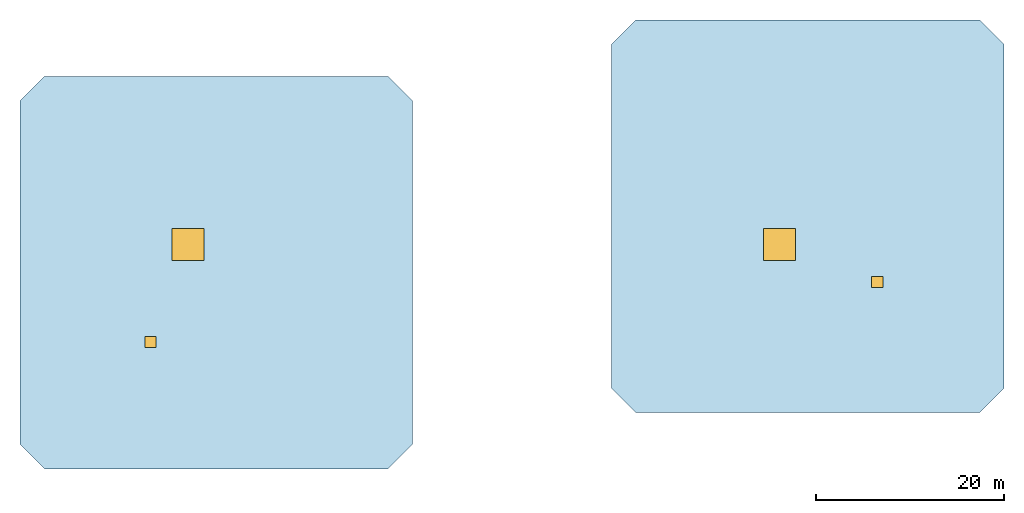
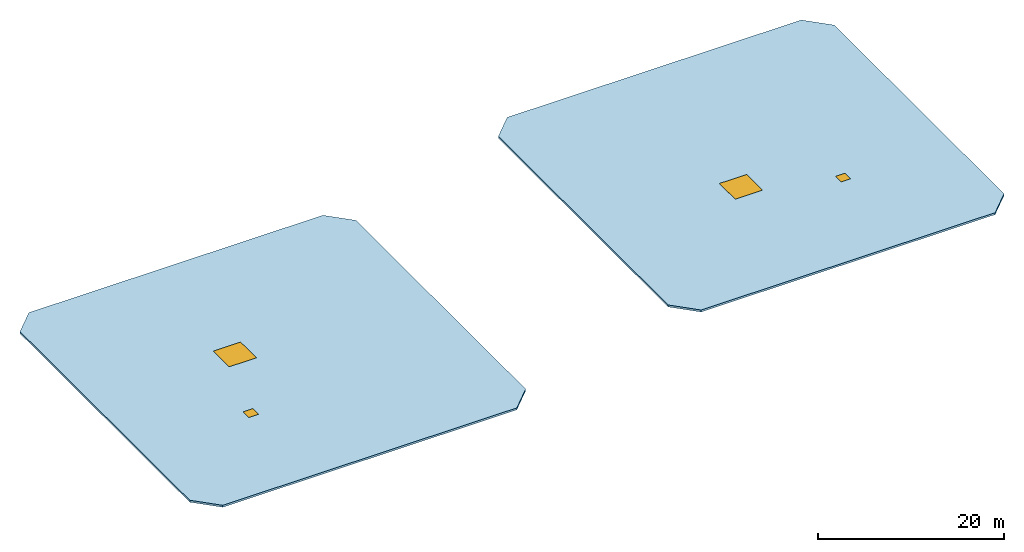
# One storey: 4 windows, 2 slabs, 4 openings.
"""IFC4 building model written with IfcOpenShell, lengths in metres."""

from ifc_helpers import new_model, si_unit, direction, frame, origin, origin_2d, place, context, subcontext, project, spatial, polyline, rectangle, outline, extrude, material, layer, layer_set, type_object, element, fill, save


model = new_model("IFC4")

# Units and contexts
model_context = context("Model", 3, precision=1e-05, world=origin(), true_north=direction((0.0, 1.0)))
body_context = subcontext(model_context, "Body", "Model", "MODEL_VIEW")
ifc_project = project(units=[si_unit("LENGTHUNIT", "METRE"), si_unit("AREAUNIT", "SQUARE_METRE"), si_unit("VOLUMEUNIT", "CUBIC_METRE"), si_unit("PLANEANGLEUNIT", "RADIAN"), si_unit("MASSUNIT", "GRAM", prefix="KILO")], contexts=[model_context])

# Site, building, storey
site_placement = place(None, origin())
site = spatial("IfcSite", under=ifc_project, at=site_placement, CompositionType="ELEMENT")
building_placement = place(site_placement, origin())
building = spatial("IfcBuilding", under=site, at=building_placement, Name="Thornwick Lancets Civic Towers", CompositionType="ELEMENT")
storey_placement = place(building_placement, frame((0.0, 0.0, 297.60009765625)))
storey = spatial("IfcBuildingStorey", under=building, at=storey_placement, Name="ROOF", CompositionType="ELEMENT", Elevation=297.60009765625)

# Slab, openings, windows
ifc_material_1 = material(Name="Concrete C40/50", Category="concrete")
ifc_layer = layer(ifc_material_1, 0.260009765625, Name="Concrete C40/50")
ifc_layer_set = layer_set([ifc_layer], Name="Concrete C40/50")
slab_type = type_object("IfcSlabType", Name="SLAB_ROOF_260", PredefinedType="ROOF", material=ifc_layer_set)
slab_1_placement = place(storey_placement, origin())
slab_1 = element("IfcSlab", 1, at=slab_1_placement, inside=storey, type_object=slab_type, Name="Tower A Closed Ring Crown Roof Slab", PredefinedType="ROOF", context=body_context, shape_type="SweptSolid", body=[
    extrude(outline(polyline([(10.199951171875, 3.10009765625), (46.800048828125, 3.10009765625), (49.39990234375, 5.699951171875), (49.39990234375, 42.300048828125), (46.800048828125, 44.89990234375), (10.199951171875, 44.89990234375), (7.60009765625, 42.300048828125), (7.60009765625, 5.699951171875), (10.199951171875, 3.10009765625)])), origin(), (0.0, 0.0, 1.0), 0.260009765625),
])
opening_1_placement = place(slab_1_placement, frame((25.5, 27.0, -0.010009765625)))
opening_1 = element("IfcOpeningElement", 2, at=opening_1_placement, cuts=slab_1, Name="Opening SK-01", PredefinedType="OPENING", context=body_context, shape_type="SweptSolid", body=[
    extrude(rectangle(XDim=3.39990234375, YDim=3.39990234375, at=origin_2d()), origin(), (0.0, 0.0, 1.0), 0.280029296875),
])
opening_2_placement = place(slab_1_placement, frame((21.5, 16.60009765625, -0.010009765625)))
opening_2 = element("IfcOpeningElement", 3, at=opening_2_placement, cuts=slab_1, Name="Opening RH-01", PredefinedType="OPENING", context=body_context, shape_type="SweptSolid", body=[
    extrude(rectangle(XDim=1.199951171875, YDim=1.199951171875, at=origin_2d()), origin(), (0.0, 0.0, 1.0), 0.280029296875),
])
ifc_material_2 = material(Name="Insulated aluminium and laminated glass roof access hatch", Category="aluminium")
window_type_1 = type_object("IfcWindowType", Name="WIN_ROOF_HATCH_1200", PartitioningType="SINGLE_PANEL", PredefinedType="SKYLIGHT", material=ifc_material_2)
window_1_placement = place(slab_1_placement, frame((21.5, 16.60009765625, 0.2099609375)))
window_1 = element("IfcWindow", 4, at=window_1_placement, inside=storey, type_object=window_type_1, Name="Tower A Maintenance Roof Access Hatch", OverallHeight=1.199951171875, OverallWidth=1.199951171875, PartitioningType="SINGLE_PANEL", PredefinedType="SKYLIGHT", context=body_context, shape_type="SweptSolid", body=[
    extrude(rectangle(XDim=1.199951171875, YDim=1.199951171875, at=origin_2d()), origin(), (0.0, 0.0, 1.0), 0.050048828125),
])
fill(opening_2, window_1)
ifc_material_3 = material(Name="Triple-glazed laminated atrium skylight glass", Category="glass")
window_type_2 = type_object("IfcWindowType", Name="WIN_SKYLIGHT_3400", PartitioningType="SINGLE_PANEL", PredefinedType="SKYLIGHT", material=ifc_material_3)
window_2_placement = place(slab_1_placement, frame((25.5, 27.0, 0.2099609375)))
window_2 = element("IfcWindow", 5, at=window_2_placement, inside=storey, type_object=window_type_2, Name="Tower A Central Atrium Skylight", OverallHeight=3.39990234375, OverallWidth=3.39990234375, PartitioningType="SINGLE_PANEL", PredefinedType="SKYLIGHT", context=body_context, shape_type="SweptSolid", body=[
    extrude(rectangle(XDim=3.39990234375, YDim=3.39990234375, at=origin_2d()), origin(), (0.0, 0.0, 1.0), 0.050048828125),
])
fill(opening_1, window_2)

slab_2_placement = place(storey_placement, origin())
slab_2 = element("IfcSlab", 6, at=slab_2_placement, inside=storey, type_object=slab_type, Name="Tower B Closed Ring Crown Roof Slab", PredefinedType="ROOF", context=body_context, shape_type="SweptSolid", body=[
    extrude(outline(polyline([(73.199951171875, 9.10009765625), (109.800048828125, 9.10009765625), (112.39990234375, 11.699951171875), (112.39990234375, 48.300048828125), (109.800048828125, 50.89990234375), (73.199951171875, 50.89990234375), (70.60009765625, 48.300048828125), (70.60009765625, 11.699951171875), (73.199951171875, 9.10009765625)])), origin(), (0.0, 0.0, 1.0), 0.260009765625),
])
opening_3_placement = place(slab_2_placement, frame((88.5, 27.0, -0.010009765625)))
opening_3 = element("IfcOpeningElement", 7, at=opening_3_placement, cuts=slab_2, Name="Opening SK-01", PredefinedType="OPENING", context=body_context, shape_type="SweptSolid", body=[
    extrude(rectangle(XDim=3.39990234375, YDim=3.39990234375, at=origin_2d()), origin(), (0.0, 0.0, 1.0), 0.280029296875),
])
opening_4_placement = place(slab_2_placement, frame((98.89990234375, 23.0, -0.010009765625)))
opening_4 = element("IfcOpeningElement", 8, at=opening_4_placement, cuts=slab_2, Name="Opening RH-01", PredefinedType="OPENING", context=body_context, shape_type="SweptSolid", body=[
    extrude(rectangle(XDim=1.199951171875, YDim=1.199951171875, at=origin_2d()), origin(), (0.0, 0.0, 1.0), 0.280029296875),
])
window_3_placement = place(slab_2_placement, frame((98.89990234375, 23.0, 0.2099609375)))
window_3 = element("IfcWindow", 9, at=window_3_placement, inside=storey, type_object=window_type_1, Name="Tower B Maintenance Roof Access Hatch", OverallHeight=1.199951171875, OverallWidth=1.199951171875, PartitioningType="SINGLE_PANEL", PredefinedType="SKYLIGHT", context=body_context, shape_type="SweptSolid", body=[
    extrude(rectangle(XDim=1.199951171875, YDim=1.199951171875, at=origin_2d()), origin(), (0.0, 0.0, 1.0), 0.050048828125),
])
fill(opening_4, window_3)
window_4_placement = place(slab_2_placement, frame((88.5, 27.0, 0.2099609375)))
window_4 = element("IfcWindow", 10, at=window_4_placement, inside=storey, type_object=window_type_2, Name="Tower B Central Atrium Skylight", OverallHeight=3.39990234375, OverallWidth=3.39990234375, PartitioningType="SINGLE_PANEL", PredefinedType="SKYLIGHT", context=body_context, shape_type="SweptSolid", body=[
    extrude(rectangle(XDim=3.39990234375, YDim=3.39990234375, at=origin_2d()), origin(), (0.0, 0.0, 1.0), 0.050048828125),
])
fill(opening_3, window_4)

save(model, "model.ifc")
